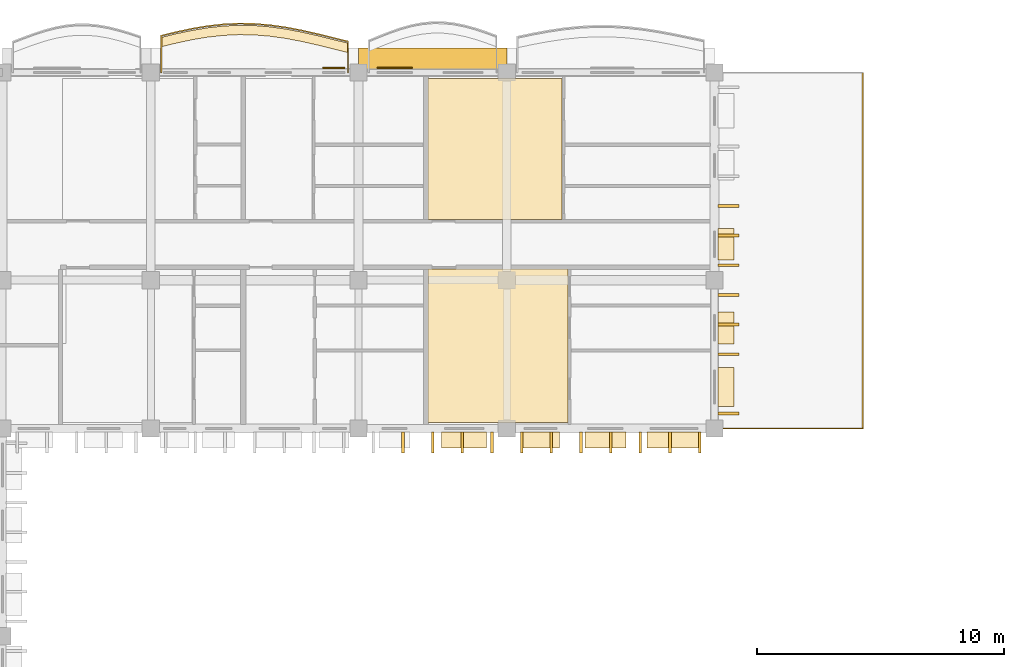
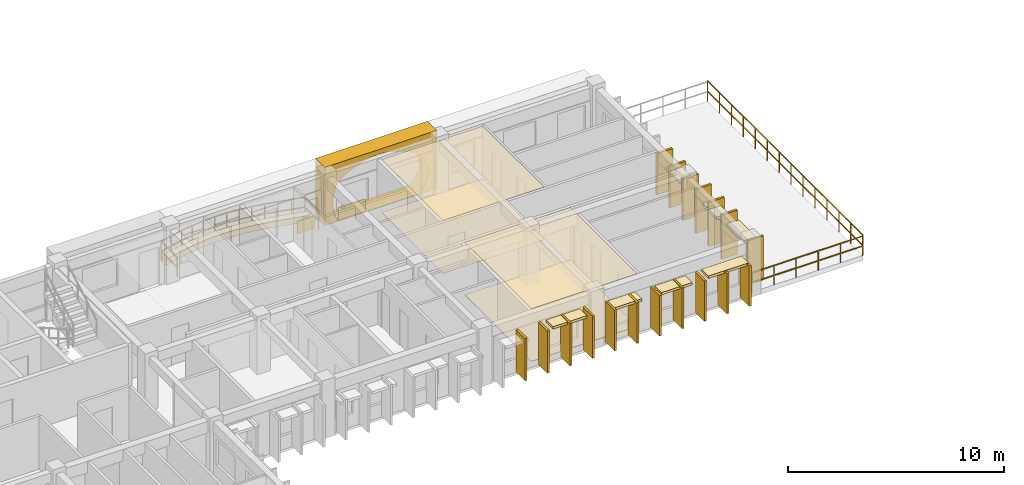
# One storey, part 50 of 66: 33 coverings, 3 railings.
"""IFC4 building model written with IfcOpenShell, lengths in metres."""

import ifcopenshell
import ifcopenshell.guid

model = None  # the IFC model being written
_history = None  # IfcOwnerHistory: only IFC2X3 demands one
_inside = {}  # id of a spatial element -> (the spatial element, [elements in it])
_under = {}  # id of a project, library or spatial element -> (it, [spatial elements below it])
_declared = {}  # id of a project -> (the project, [libraries it declares])
_typed = {}  # id of a type object -> (the type object, [elements of that type])
_made_of = {}  # id of a material, layer set ... -> (it, [elements and type objects made of it])


def new_model(schema):
    """Start an empty IFC model of exactly this schema.

    Asked for "IFC4X3", IfcOpenShell would pick the latest addendum, in which some entities
    have other attributes; the version numbers below select the first issue.
    IFC2X3 requires an IfcOwnerHistory on every rooted entity: one is made here for all.
    """
    global model, _history
    if schema == "IFC4X3":
        model = ifcopenshell.file(schema_version=(4, 3, 0, 0))
    else:
        model = ifcopenshell.file(schema=schema)
    _inside.clear()
    _under.clear()
    _declared.clear()
    _typed.clear()
    _made_of.clear()
    _history = None
    if model.schema == "IFC2X3":
        org = make("IfcOrganization", Name="unknown")
        user = make(
            "IfcPersonAndOrganization",
            ThePerson=make("IfcPerson", FamilyName="unknown"),
            TheOrganization=org,
        )
        app = make(
            "IfcApplication",
            ApplicationDeveloper=org,
            Version="unknown",
            ApplicationFullName="unknown",
            ApplicationIdentifier="unknown",
        )
        _history = make(
            "IfcOwnerHistory",
            OwningUser=user,
            OwningApplication=app,
            ChangeAction="ADDED",
            CreationDate=0,
        )
    return model


def make(cls, **values):
    """One entity of the class cls with the attributes given. An attribute that is None is left unset."""
    return model.create_entity(
        cls, **{name: value for name, value in values.items() if value is not None}
    )


def rooted(cls, **values):
    """An entity with a GlobalId (a new one), such as an element, a storey or a relation."""
    return make(cls, GlobalId=ifcopenshell.guid.new(), OwnerHistory=_history, **values)


def si_unit(unit_type, name, prefix=None):
    """IfcSIUnit, for example si_unit("LENGTHUNIT", "METRE", prefix="MILLI")."""
    return make("IfcSIUnit", UnitType=unit_type, Prefix=prefix, Name=name)


def assignment(units):
    """IfcUnitAssignment: the units of a project."""
    return None if units is None else make("IfcUnitAssignment", Units=units)


def point(xyz):
    """IfcCartesianPoint."""
    return None if xyz is None else make("IfcCartesianPoint", Coordinates=xyz)


def direction(xyz):
    """IfcDirection."""
    return None if xyz is None else make("IfcDirection", DirectionRatios=xyz)


def frame(location, z_axis=None, x_axis=None):
    """IfcAxis2Placement3D, a coordinate frame: its origin and axes. An axis left out is left unset."""
    return make(
        "IfcAxis2Placement3D",
        Location=point(location),
        Axis=direction(z_axis),
        RefDirection=direction(x_axis),
    )


def frame_2d(location, x_axis=None):
    """IfcAxis2Placement2D, a coordinate frame in the plane: its origin and x axis."""
    return make(
        "IfcAxis2Placement2D", Location=point(location), RefDirection=direction(x_axis)
    )


def origin():
    """The frame at (0, 0, 0) with its axes left unset."""
    return frame((0.0, 0.0, 0.0))


def origin_2d():
    """The frame at (0, 0) in the plane with its x axis left unset."""
    return frame_2d((0.0, 0.0))


def place(relative_to, where):
    """IfcLocalPlacement: puts the frame where relative to a parent placement (None: the world)."""
    return make(
        "IfcLocalPlacement", PlacementRelTo=relative_to, RelativePlacement=where
    )


def context(
    kind, dimensions, precision=None, world=None, true_north=None, identifier=None
):
    """IfcGeometricRepresentationContext, for example the 3D "Model" context."""
    return make(
        "IfcGeometricRepresentationContext",
        ContextIdentifier=identifier,
        ContextType=kind,
        CoordinateSpaceDimension=dimensions,
        Precision=precision,
        WorldCoordinateSystem=world,
        TrueNorth=true_north,
    )


def subcontext(parent, identifier, kind, view, scale=None):
    """IfcGeometricRepresentationSubContext, for example "Body" below "Model"."""
    return make(
        "IfcGeometricRepresentationSubContext",
        ContextIdentifier=identifier,
        ContextType=kind,
        ParentContext=parent,
        TargetScale=scale,
        TargetView=view,
    )


def project(units=None, contexts=None):
    """IfcProject with its units and contexts."""
    return rooted(
        "IfcProject",
        Name="project",
        RepresentationContexts=contexts,
        UnitsInContext=assignment(units),
    )


def spatial(cls, under=None, at=None, **own):
    """A site, building, storey or space (cls), placed at a placement, below another one or the project."""
    s = rooted(cls, ObjectPlacement=at, **own)
    if under is not None:
        _under.setdefault(under.id(), (under, []))[1].append(s)
    return s


def polyline(points):
    """IfcPolyline through the points."""
    return make("IfcPolyline", Points=[point(p) for p in points])


def profile(cls, at=None, kind="AREA", **sizes):
    """A parametric profile (cls). Its sizes go by their IFC names, for example OverallWidth=200.0."""
    return make(cls, ProfileType=kind, Position=at, **sizes)


def rectangle(**sizes):
    """IfcRectangleProfileDef."""
    return profile("IfcRectangleProfileDef", **sizes)


def outline(outer, holes=None, kind="AREA"):
    """IfcArbitraryClosedProfileDef: a profile drawn as a closed curve; with holes, ...WithVoids."""
    if holes is None:
        return make("IfcArbitraryClosedProfileDef", ProfileType=kind, OuterCurve=outer)
    return make(
        "IfcArbitraryProfileDefWithVoids",
        ProfileType=kind,
        OuterCurve=outer,
        InnerCurves=holes,
    )


def extrude(swept, where, along, depth):
    """IfcExtrudedAreaSolid: the profile swept, set in the frame where, extruded along a direction by depth."""
    return make(
        "IfcExtrudedAreaSolid",
        SweptArea=swept,
        Position=where,
        ExtrudedDirection=direction(along),
        Depth=depth,
    )


def shape(context_of_items, identifier, shape_type, items):
    """IfcShapeRepresentation: the items that make up one representation, for example the "Body"."""
    return make(
        "IfcShapeRepresentation",
        ContextOfItems=context_of_items,
        RepresentationIdentifier=identifier,
        RepresentationType=shape_type,
        Items=items,
    )


def material(Name=None, Category=None):
    """IfcMaterial."""
    return make("IfcMaterial", Name=Name, Category=Category)


def layer(
    of_material, thickness, ventilated=None, Name=None, Category=None, Priority=None
):
    """IfcMaterialLayer: one layer of a wall or slab, of a material (None: an air gap)."""
    return make(
        "IfcMaterialLayer",
        Material=of_material,
        LayerThickness=thickness,
        IsVentilated=ventilated,
        Name=Name,
        Category=Category,
        Priority=Priority,
    )


def layer_set(layers, Name=None):
    """IfcMaterialLayerSet."""
    return make("IfcMaterialLayerSet", MaterialLayers=layers, LayerSetName=Name)


def made_of(thing, what):
    """Note that an element or type object is made of a material, layer set ...; save() writes the relation."""
    if what is not None:
        _made_of.setdefault(what.id(), (what, []))[1].append(thing)
    return thing


def type_object(cls, material=None, **own):
    """A type object (cls), such as IfcWallType, which elements share."""
    return made_of(rooted(cls, **own), material)


def element(
    cls,
    number,
    at=None,
    inside=None,
    cuts=None,
    type_object=None,
    material=None,
    context=None,
    identifier="Body",
    shape_type=None,
    held_by="IfcProductDefinitionShape",
    body=None,
    shapes=None,
    **own,
):
    """One element of the class cls, such as IfcWall. Its Tag is "e" and its number.

    at: its placement. inside: the storey or other place that contains it. cuts: it is an
    opening in that element (IfcRelVoidsElement). A single representation is given by context,
    identifier, shape_type and body (its items); several are given by shapes. held_by: the class
    of the entity that holds the representations. save() writes the other relations.
    """
    e = rooted(cls, Tag="e%d" % number, ObjectPlacement=at, **own)
    if body is not None:
        shapes = [shape(context, identifier, shape_type, body)]
    if shapes is not None:
        e.Representation = make(held_by, Representations=shapes)
    if inside is not None:
        _inside.setdefault(inside.id(), (inside, []))[1].append(e)
    if cuts is not None:
        rooted(
            "IfcRelVoidsElement", RelatingBuildingElement=cuts, RelatedOpeningElement=e
        )
    if type_object is not None:
        _typed.setdefault(type_object.id(), (type_object, []))[1].append(e)
    return made_of(e, material)


def aggregate(whole, parts):
    """IfcRelAggregates: a whole, such as a stair, and the parts it consists of."""
    return rooted("IfcRelAggregates", RelatingObject=whole, RelatedObjects=parts)


def save(model, path):
    """Write the relations noted so far, then the file.

    IfcRelAggregates (storeys below a building ...), IfcRelContainedInSpatialStructure (elements
    in a storey), IfcRelDefinesByType, IfcRelAssociatesMaterial and IfcRelDeclares: one each for
    every whole, place, type object, material and project.
    """
    for whole, parts in _under.values():
        aggregate(whole, parts)
    for where, things in _inside.values():
        rooted(
            "IfcRelContainedInSpatialStructure",
            RelatedElements=things,
            RelatingStructure=where,
        )
    for kind, things in _typed.values():
        rooted("IfcRelDefinesByType", RelatedObjects=things, RelatingType=kind)
    for what, things in _made_of.values():
        rooted("IfcRelAssociatesMaterial", RelatedObjects=things, RelatingMaterial=what)
    for by, libraries in _declared.values():
        rooted("IfcRelDeclares", RelatingContext=by, RelatedDefinitions=libraries)
    model.write(path)


model = new_model("IFC4")

# Units and contexts
model_context = context("Model", 3, precision=1e-05, world=origin(), true_north=direction((0.0, 1.0)))
body_context = subcontext(model_context, "Body", "Model", "MODEL_VIEW")
ifc_project = project(units=[si_unit("LENGTHUNIT", "METRE"), si_unit("AREAUNIT", "SQUARE_METRE"), si_unit("VOLUMEUNIT", "CUBIC_METRE"), si_unit("PLANEANGLEUNIT", "RADIAN"), si_unit("MASSUNIT", "GRAM", prefix="KILO"), si_unit("THERMODYNAMICTEMPERATUREUNIT", "KELVIN")], contexts=[model_context])

# Site, building, storey
site_placement = place(None, origin())
site = spatial("IfcSite", under=ifc_project, at=site_placement, CompositionType="ELEMENT")
building_placement = place(site_placement, origin())
building = spatial("IfcBuilding", under=site, at=building_placement, Name="Thalorik Housing Commons", CompositionType="ELEMENT")
storey_placement = place(building_placement, frame((0.0, 0.0, 21.300048828125)))
storey = spatial("IfcBuildingStorey", under=building, at=storey_placement, Name="L06", CompositionType="ELEMENT", Elevation=21.300048828125)

# Coverings
ifc_material_1 = material(Name="Precast concrete C40/50", Category="concrete")
ifc_layer_1 = layer(ifc_material_1, 0.85009765625, Name="Precast concrete C40/50", Category="concrete")
ifc_layer_set_1 = layer_set([ifc_layer_1], Name="Precast concrete C40/50")
covering_type_1 = type_object("IfcCoveringType", Name="ARC-CLD-CUSH-850", PredefinedType="CLADDING", material=ifc_layer_set_1)
covering_1_placement = place(storey_placement, frame((40.199951171875, 124.169921875, 0.0), z_axis=(0.0, 0.0, 1.0), x_axis=(-1.0, 0.0, 0.0)))
element("IfcCovering", 1, at=covering_1_placement, inside=storey, type_object=covering_type_1, Name="L06 White Precast Curved Cushion Bay Frame 671", PredefinedType="CLADDING", context=body_context, shape_type="SweptSolid", body=[
    extrude(outline(polyline([(-3.0, 0.0), (3.0, 0.0), (3.0, 3.300048828125), (-3.0, 3.300048828125), (-3.0, 0.0)]), holes=[polyline([(2.300048828125, 0.02490234375), (2.44775390625, 0.394287109375), (2.536376953125, 0.76318359375), (2.56591796875, 1.132568359375), (2.536376953125, 1.501708984375), (2.44775390625, 1.870849609375), (2.300048828125, 2.239990234375), (1.935791015625, 2.4833984375), (1.57177734375, 2.6748046875), (1.20751953125, 2.82958984375), (0.84326171875, 2.94482421875), (0.479248046875, 3.01611328125), (0.114990234375, 3.0400390625), (-0.249267578125, 3.01611328125), (-0.61328125, 2.94482421875), (-0.9775390625, 2.82958984375), (-1.341796875, 2.6748046875), (-1.705810546875, 2.4833984375), (-2.070068359375, 2.239990234375), (-2.336669921875, 1.870849609375), (-2.49658203125, 1.501708984375), (-2.550048828125, 1.132568359375), (-2.49658203125, 0.76318359375), (-2.336669921875, 0.394287109375), (-2.070068359375, 0.02490234375), (2.300048828125, 0.02490234375)])]), frame((0.0, 0.425048828125, 0.0), z_axis=(0.0, -1.0, 0.0), x_axis=(1.0, 0.0, 0.0)), (0.0, 0.0, 1.0), 0.85009765625),
])
ifc_layer_2 = layer(ifc_material_1, 0.85009765625, Name="Precast concrete C40/50", Category="concrete")
ifc_layer_set_2 = layer_set([ifc_layer_2], Name="Precast concrete C40/50")
covering_type_2 = type_object("IfcCoveringType", Name="ARC-CLD-FIN-850", PredefinedType="CLADDING", material=ifc_layer_set_2)
for number, where, z_axis, x_axis, name in (
    (2, (39.0, 108.6298828125, 0.0400390625), (0.0, 0.0, 1.0), (1.0, 0.0, 0.0), "L06 Courtyard Precast Vertical Brise-Soleil Fin 638"),
    (3, (40.199951171875, 108.6298828125, 0.0400390625), (0.0, 0.0, 1.0), (1.0, 0.0, 0.0), "L06 Courtyard Precast Vertical Brise-Soleil Fin 639"),
    (4, (41.39990234375, 108.6298828125, 0.0400390625), (0.0, 0.0, 1.0), (1.0, 0.0, 0.0), "L06 Courtyard Precast Vertical Brise-Soleil Fin 640"),
    (5, (42.60009765625, 108.6298828125, 0.0400390625), (0.0, 0.0, 1.0), (1.0, 0.0, 0.0), "L06 Courtyard Precast Vertical Brise-Soleil Fin 641"),
):
    element("IfcCovering", number, at=place(storey_placement, frame(where, z_axis=z_axis, x_axis=x_axis)), inside=storey, type_object=covering_type_2, Name=name, PredefinedType="CLADDING", context=body_context, shape_type="SweptSolid", body=[
        extrude(rectangle(XDim=0.110107421875, YDim=0.85009765625, at=origin_2d()), origin(), (0.0, 0.0, 1.0), 2.39501953125),
    ])
for number, where, z_axis, x_axis, name in (
    (6, (43.800048828125, 108.6298828125, 0.0400390625), (0.0, 0.0, 1.0), (1.0, 0.0, 0.0), "L06 Courtyard Precast Vertical Brise-Soleil Fin 644"),
    (7, (45.0, 108.6298828125, 0.0400390625), (0.0, 0.0, 1.0), (1.0, 0.0, 0.0), "L06 Courtyard Precast Vertical Brise-Soleil Fin 645"),
    (8, (46.199951171875, 108.6298828125, 0.0400390625), (0.0, 0.0, 1.0), (1.0, 0.0, 0.0), "L06 Courtyard Precast Vertical Brise-Soleil Fin 646"),
    (9, (47.39990234375, 108.6298828125, 0.0400390625), (0.0, 0.0, 1.0), (1.0, 0.0, 0.0), "L06 Courtyard Precast Vertical Brise-Soleil Fin 647"),
    (10, (48.60009765625, 108.6298828125, 0.0400390625), (0.0, 0.0, 1.0), (1.0, 0.0, 0.0), "L06 Courtyard Precast Vertical Brise-Soleil Fin 648"),
    (11, (49.800048828125, 108.6298828125, 0.0400390625), (0.0, 0.0, 1.0), (1.0, 0.0, 0.0), "L06 Courtyard Precast Vertical Brise-Soleil Fin 649"),
    (12, (51.0, 108.6298828125, 0.0400390625), (0.0, 0.0, 1.0), (1.0, 0.0, 0.0), "L06 Courtyard Precast Vertical Brise-Soleil Fin 650"),
):
    element("IfcCovering", number, at=place(storey_placement, frame(where, z_axis=z_axis, x_axis=x_axis)), inside=storey, type_object=covering_type_2, Name=name, PredefinedType="CLADDING", context=body_context, shape_type="SweptSolid", body=[
        extrude(rectangle(XDim=0.110107421875, YDim=0.85009765625, at=origin_2d()), origin(), (0.0, 0.0, 1.0), 2.294921875),
    ])
for number, where, z_axis, x_axis, name in (
    (13, (52.169921875, 109.800048828125, 0.039794921875), (0.0, 0.0, 1.0), (0.0, 1.0, 0.0), "L06 Courtyard Precast Vertical Brise-Soleil Fin 654"),
    (14, (52.169921875, 112.199951171875, 0.039794921875), (0.0, 0.0, 1.0), (0.0, 1.0, 0.0), "L06 Courtyard Precast Vertical Brise-Soleil Fin 655"),
    (15, (52.169921875, 113.39990234375, 0.039794921875), (0.0, 0.0, 1.0), (0.0, 1.0, 0.0), "L06 Courtyard Precast Vertical Brise-Soleil Fin 656"),
    (16, (52.169921875, 114.60009765625, 0.039794921875), (0.0, 0.0, 1.0), (0.0, 1.0, 0.0), "L06 Courtyard Precast Vertical Brise-Soleil Fin 657"),
):
    element("IfcCovering", number, at=place(storey_placement, frame(where, z_axis=z_axis, x_axis=x_axis)), inside=storey, type_object=covering_type_2, Name=name, PredefinedType="CLADDING", context=body_context, shape_type="SweptSolid", body=[
        extrude(rectangle(XDim=0.110107421875, YDim=0.85009765625, at=origin_2d()), origin(), (0.0, 0.0, 1.0), 2.4951171875),
    ])
for number, where, z_axis, x_axis, name in (
    (17, (52.169921875, 115.800048828125, 0.0400390625), (0.0, 0.0, 1.0), (0.0, 1.0, 0.0), "L06 Courtyard Precast Vertical Brise-Soleil Fin 660"),
    (18, (52.169921875, 117.0, 0.0400390625), (0.0, 0.0, 1.0), (0.0, 1.0, 0.0), "L06 Courtyard Precast Vertical Brise-Soleil Fin 661"),
    (19, (52.169921875, 118.199951171875, 0.0400390625), (0.0, 0.0, 1.0), (0.0, 1.0, 0.0), "L06 Courtyard Precast Vertical Brise-Soleil Fin 662"),
):
    element("IfcCovering", number, at=place(storey_placement, frame(where, z_axis=z_axis, x_axis=x_axis)), inside=storey, type_object=covering_type_2, Name=name, PredefinedType="CLADDING", context=body_context, shape_type="SweptSolid", body=[
        extrude(rectangle(XDim=0.110107421875, YDim=0.85009765625, at=origin_2d()), origin(), (0.0, 0.0, 1.0), 2.344970703125),
    ])
ifc_layer_3 = layer(ifc_material_1, 0.64990234375, Name="Precast concrete C40/50", Category="concrete")
ifc_layer_set_3 = layer_set([ifc_layer_3], Name="Precast concrete C40/50")
covering_type_3 = type_object("IfcCoveringType", Name="ARC-CLD-HOOD-650", PredefinedType="CLADDING", material=ifc_layer_set_3)
covering_2_placement = place(storey_placement, frame((41.469970703125, 108.72998046875, 2.27001953125), z_axis=(0.0, 0.0, 1.0), x_axis=(1.0, 0.0, 0.0)))
element("IfcCovering", 20, at=covering_2_placement, inside=storey, type_object=covering_type_3, Name="L06 Courtyard Precast Window Sun-Hood 643", PredefinedType="CLADDING", context=body_context, shape_type="SweptSolid", body=[
    extrude(rectangle(XDim=1.820068359375, YDim=0.64990234375, at=origin_2d()), origin(), (0.0, 0.0, 1.0), 0.139892578125),
])
covering_3_placement = place(storey_placement, frame((44.5625, 108.72998046875, 2.18994140625), z_axis=(0.0, 0.0, 1.0), x_axis=(1.0, 0.0, 0.0)))
element("IfcCovering", 21, at=covering_3_placement, inside=storey, type_object=covering_type_3, Name="L06 Courtyard Precast Window Sun-Hood 651", PredefinedType="CLADDING", context=body_context, shape_type="SweptSolid", body=[
    extrude(rectangle(XDim=1.5400390625, YDim=0.64990234375, at=origin_2d()), origin(), (0.0, 0.0, 1.0), 0.139892578125),
])
covering_4_placement = place(storey_placement, frame((47.188720703125, 108.72998046875, 2.169921875), z_axis=(0.0, 0.0, 1.0), x_axis=(1.0, 0.0, 0.0)))
element("IfcCovering", 22, at=covering_4_placement, inside=storey, type_object=covering_type_3, Name="L06 Courtyard Precast Window Sun-Hood 652", PredefinedType="CLADDING", context=body_context, shape_type="SweptSolid", body=[
    extrude(rectangle(XDim=1.659912109375, YDim=0.64990234375, at=origin_2d()), origin(), (0.0, 0.0, 1.0), 0.139892578125),
])
covering_5_placement = place(storey_placement, frame((49.956298828125, 108.72998046875, 2.22509765625), z_axis=(0.0, 0.0, 1.0), x_axis=(1.0, 0.0, 0.0)))
element("IfcCovering", 23, at=covering_5_placement, inside=storey, type_object=covering_type_3, Name="L06 Courtyard Precast Window Sun-Hood 653", PredefinedType="CLADDING", context=body_context, shape_type="SweptSolid", body=[
    extrude(rectangle(XDim=2.159912109375, YDim=0.64990234375, at=origin_2d()), origin(), (0.0, 0.0, 1.0), 0.139892578125),
])
covering_6_placement = place(storey_placement, frame((52.070068359375, 110.87548828125, 2.2099609375), z_axis=(0.0, 0.0, 1.0), x_axis=(0.0, 1.0, 0.0)))
element("IfcCovering", 24, at=covering_6_placement, inside=storey, type_object=covering_type_3, Name="L06 Courtyard Precast Window Sun-Hood 658", PredefinedType="CLADDING", context=body_context, shape_type="SweptSolid", body=[
    extrude(rectangle(XDim=1.590087890625, YDim=0.64990234375, at=origin_2d()), origin(), (0.0, 0.0, 1.0), 0.139892578125),
])
for number, where, z_axis, x_axis, name in (
    (25, (52.070068359375, 113.26513671875, 1.990234375), (0.0, 0.0, 1.0), (0.0, 1.0, 0.0), "L06 Courtyard Precast Window Sun-Hood 659"),
    (26, (52.070068359375, 116.64990234375, 1.990234375), (0.0, 0.0, 1.0), (0.0, 1.0, 0.0), "L06 Courtyard Precast Window Sun-Hood 667"),
):
    element("IfcCovering", number, at=place(storey_placement, frame(where, z_axis=z_axis, x_axis=x_axis)), inside=storey, type_object=covering_type_3, Name=name, PredefinedType="CLADDING", context=body_context, shape_type="SweptSolid", body=[
        extrude(rectangle(XDim=1.2900390625, YDim=0.64990234375, at=origin_2d()), origin(), (0.0, 0.0, 1.0), 0.139892578125),
    ])
ifc_material_2 = material(Name="Terracotta red mineral fibre-cement panel", Category="masonry")
ifc_layer_4 = layer(ifc_material_2, 0.054931640625, Name="Terracotta red mineral fibre-cement panel", Category="masonry")
ifc_layer_set_4 = layer_set([ifc_layer_4], Name="Terracotta red mineral fibre-cement panel")
covering_type_4 = type_object("IfcCoveringType", Name="ARC-CLD-RED-55", PredefinedType="CLADDING", material=ifc_layer_set_4)
covering_7_placement = place(storey_placement, frame((36.198486328125, 123.777587890625, 0.0498046875), z_axis=(0.0, 0.0, 1.0), x_axis=(-1.0, 0.0, 0.0)))
element("IfcCovering", 27, at=covering_7_placement, inside=storey, type_object=covering_type_4, Name="L06 De Stijl Recessed Window Spandrel 674", PredefinedType="CLADDING", context=body_context, shape_type="SweptSolid", body=[
    extrude(rectangle(XDim=0.89990234375, YDim=0.054931640625, at=origin_2d()), origin(), (0.0, 0.0, 1.0), 0.699951171875),
])
ifc_material_3 = material(Name="Mineral ochre architectural terracotta panel", Category="masonry")
ifc_layer_5 = layer(ifc_material_3, 0.06494140625, Name="Mineral ochre architectural terracotta panel", Category="masonry")
ifc_layer_set_5 = layer_set([ifc_layer_5], Name="Mineral ochre architectural terracotta panel")
covering_type_5 = type_object("IfcCoveringType", Name="ARC-CLD-YEL-65", PredefinedType="CLADDING", material=ifc_layer_set_5)
covering_8_placement = place(storey_placement, frame((38.659912109375, 123.782470703125, 0.0498046875), z_axis=(0.0, 0.0, 1.0), x_axis=(-1.0, 0.0, 0.0)))
element("IfcCovering", 28, at=covering_8_placement, inside=storey, type_object=covering_type_5, Name="L06 De Stijl Recessed Window Spandrel 672", PredefinedType="CLADDING", context=body_context, shape_type="SweptSolid", body=[
    extrude(rectangle(XDim=1.419921875, YDim=0.06494140625, at=origin_2d()), origin(), (0.0, 0.0, 1.0), 0.699951171875),
])
ifc_material_4 = material(Name="Perforated acoustic gypsum ceiling board")
ifc_layer_6 = layer(ifc_material_4, 0.014892578125, Name="Perforated acoustic gypsum ceiling board")
ifc_layer_set_6 = layer_set([ifc_layer_6], Name="Perforated acoustic gypsum ceiling board")
covering_type_6 = type_object("IfcCoveringType", Name="ARC-COV-CEIL-01", PredefinedType="CEILING", material=ifc_layer_set_6)
covering_9_placement = place(storey_placement, frame((0.0, 0.0, 2.98486328125)))
element("IfcCovering", 29, at=covering_9_placement, inside=storey, type_object=covering_type_6, Name="L06 Living Dining Room Suspended Ceiling", PredefinedType="CEILING", context=body_context, shape_type="SweptSolid", body=[
    extrude(outline(polyline([(45.432861328125, 117.659912109375), (45.432861328125, 123.360107421875), (40.010009765625, 123.360107421875), (40.010009765625, 117.659912109375), (45.432861328125, 117.659912109375)])), origin(), (0.0, 0.0, 1.0), 0.01513671875),
])
ifc_material_5 = material(Name="Acoustic wood-wool nursery ceiling panel", Category="wood")
ifc_layer_7 = layer(ifc_material_5, 0.035888671875, Name="Acoustic wood-wool nursery ceiling panel", Category="wood")
ifc_layer_set_7 = layer_set([ifc_layer_7], Name="Acoustic wood-wool nursery ceiling panel")
covering_type_7 = type_object("IfcCoveringType", Name="ARC-COV-CEIL-06", PredefinedType="CEILING", material=ifc_layer_set_7)
covering_10_placement = place(storey_placement, frame((0.0, 0.0, 2.9638671875)))
element("IfcCovering", 30, at=covering_10_placement, inside=storey, type_object=covering_type_7, Name="L06 Living Dining Room Suspended Ceiling", PredefinedType="CEILING", context=body_context, shape_type="SweptSolid", body=[
    extrude(outline(polyline([(45.6650390625, 109.43994140625), (45.6650390625, 115.639892578125), (40.010009765625, 115.639892578125), (40.010009765625, 109.43994140625), (45.6650390625, 109.43994140625)])), origin(), (0.0, 0.0, 1.0), 0.0361328125),
])
ifc_material_6 = material(Name="Glazed Recife ceramic apartment floor tile")
ifc_layer_8 = layer(ifc_material_6, 0.011962890625, Name="Glazed Recife ceramic apartment floor tile")
ifc_layer_set_8 = layer_set([ifc_layer_8], Name="Glazed Recife ceramic apartment floor tile")
covering_type_8 = type_object("IfcCoveringType", Name="ARC-COV-FLR-01", PredefinedType="FLOORING", material=ifc_layer_set_8)
covering_11_placement = place(storey_placement, origin())
element("IfcCovering", 31, at=covering_11_placement, inside=storey, type_object=covering_type_8, Name="L06 Living Dining Room Flooring", PredefinedType="FLOORING", context=body_context, shape_type="SweptSolid", body=[
    extrude(outline(polyline([(45.432861328125, 117.659912109375), (45.432861328125, 123.360107421875), (40.010009765625, 123.360107421875), (40.010009765625, 117.659912109375), (45.432861328125, 117.659912109375)])), origin(), (0.0, 0.0, 1.0), 0.011962890625),
])
ifc_material_7 = material(Name="Epoxy-sealed concrete plant and bicycle hub finish", Category="concrete")
ifc_layer_9 = layer(ifc_material_7, 0.031982421875, Name="Epoxy-sealed concrete plant and bicycle hub finish", Category="concrete")
ifc_layer_set_9 = layer_set([ifc_layer_9], Name="Epoxy-sealed concrete plant and bicycle hub finish")
covering_type_9 = type_object("IfcCoveringType", Name="ARC-COV-FLR-06", PredefinedType="FLOORING", material=ifc_layer_set_9)
covering_12_placement = place(storey_placement, origin())
element("IfcCovering", 32, at=covering_12_placement, inside=storey, type_object=covering_type_9, Name="L06 Living Dining Room Flooring", PredefinedType="FLOORING", context=body_context, shape_type="SweptSolid", body=[
    extrude(outline(polyline([(45.6650390625, 109.43994140625), (45.6650390625, 115.639892578125), (40.010009765625, 115.639892578125), (40.010009765625, 109.43994140625), (45.6650390625, 109.43994140625)])), origin(), (0.0, 0.0, 1.0), 0.031982421875),
])
ifc_material_8 = material(Name="Planted vegetated substrate and terracotta trough", Category="masonry")
ifc_layer_10 = layer(ifc_material_8, 0.340087890625, Name="Planted vegetated substrate and terracotta trough", Category="masonry")
ifc_layer_set_10 = layer_set([ifc_layer_10], Name="Planted vegetated substrate and terracotta trough")
covering_type_10 = type_object("IfcCoveringType", Name="ARC-COV-PLANTER", PredefinedType="USERDEFINED", material=ifc_layer_set_10)
covering_13_placement = place(storey_placement, origin())
element("IfcCovering", 33, at=covering_13_placement, inside=storey, type_object=covering_type_10, Name="L06 Balcony Slab-Edge Planted Trough 5358", ObjectType="PLANTER", PredefinedType="USERDEFINED", context=body_context, shape_type="SweptSolid", body=[
    extrude(outline(polyline([(36.780029296875, 124.78271484375), (36.14990234375, 124.938720703125), (35.52001953125, 125.0927734375), (34.889892578125, 125.234619140625), (34.260009765625, 125.35400390625), (33.6298828125, 125.443115234375), (33.0, 125.49560546875), (32.3701171875, 125.507080078125), (31.739990234375, 125.477294921875), (31.110107421875, 125.40771484375), (30.47998046875, 125.302978515625), (29.85009765625, 125.170166015625), (29.219970703125, 125.017822265625), (29.219970703125, 124.6376953125), (29.85009765625, 124.7900390625), (30.47998046875, 124.923095703125), (31.110107421875, 125.02783203125), (31.739990234375, 125.097412109375), (32.3701171875, 125.127197265625), (33.0, 125.115478515625), (33.6298828125, 125.063232421875), (34.260009765625, 124.97412109375), (34.889892578125, 124.8544921875), (35.52001953125, 124.712890625), (36.14990234375, 124.55859375), (36.780029296875, 124.402587890625), (36.780029296875, 124.78271484375)])), origin(), (0.0, 0.0, 1.0), 0.33984375),
])

# Railings
ifc_material_9 = material(Name="Steel S355", Category="steel")
railing_type_1 = type_object("IfcRailingType", Name="ARC-RL-BAL-112", PredefinedType="BALUSTRADE", material=ifc_material_9)
railing_1_placement = place(storey_placement, frame((36.780029296875, 123.60009765625, 0.0)))
element("IfcRailing", 34, at=railing_1_placement, inside=storey, type_object=railing_type_1, Name="L06 Cushion Balcony Guardrail 42", PredefinedType="BALUSTRADE", context=body_context, shape_type="SweptSolid", body=[
    extrude(rectangle(XDim=0.050048828125, YDim=0.050048828125, at=origin_2d()), frame((0.0, 0.0, 1.09521484375), z_axis=(0.0, 1.0, 0.0), x_axis=(-1.0, 0.0, 0.0)), (0.0, 0.0, 1.0), 1.25244140625),
    extrude(rectangle(XDim=0.050048828125, YDim=0.050048828125, at=origin_2d()), frame((0.0, 0.0, 0.53515625), z_axis=(0.0, 1.0, 0.0), x_axis=(-1.0, 0.0, 0.0)), (0.0, 0.0, 1.0), 1.25244140625),
    extrude(rectangle(XDim=0.050048828125, YDim=0.050048828125, at=origin_2d()), frame((0.0, 1.25244140625, 1.09521484375), z_axis=(-0.970605262644, 0.240677012047, 0.0), x_axis=(-0.240677012047, -0.970605262644, 0.0)), (0.0, 0.0, 1.0), 0.649169921875),
    extrude(rectangle(XDim=0.050048828125, YDim=0.050048828125, at=origin_2d()), frame((0.0, 1.25244140625, 0.53515625), z_axis=(-0.970605262644, 0.240677012047, 0.0), x_axis=(-0.240677012047, -0.970605262644, 0.0)), (0.0, 0.0, 1.0), 0.649169921875),
    extrude(rectangle(XDim=0.050048828125, YDim=0.050048828125, at=origin_2d()), frame((-0.630126953125, 1.40869140625, 1.09521484375), z_axis=(-0.971370051234, 0.23757151253, 0.0), x_axis=(-0.23757151253, -0.971370051234, 0.0)), (0.0, 0.0, 1.0), 0.6484375),
    extrude(rectangle(XDim=0.050048828125, YDim=0.050048828125, at=origin_2d()), frame((-0.630126953125, 1.40869140625, 0.53515625), z_axis=(-0.971370051234, 0.23757151253, 0.0), x_axis=(-0.23757151253, -0.971370051234, 0.0)), (0.0, 0.0, 1.0), 0.6484375),
    extrude(rectangle(XDim=0.050048828125, YDim=0.050048828125, at=origin_2d()), frame((-1.260009765625, 1.562744140625, 1.09521484375), z_axis=(-0.975587490028, 0.219611132006, 0.0), x_axis=(-0.219611132006, -0.975587490028, 0.0)), (0.0, 0.0, 1.0), 0.64599609375),
    extrude(rectangle(XDim=0.050048828125, YDim=0.050048828125, at=origin_2d()), frame((-1.260009765625, 1.562744140625, 0.53515625), z_axis=(-0.975587490028, 0.219611132006, 0.0), x_axis=(-0.219611132006, -0.975587490028, 0.0)), (0.0, 0.0, 1.0), 0.64599609375),
    extrude(rectangle(XDim=0.050048828125, YDim=0.050048828125, at=origin_2d()), frame((-1.89013671875, 1.70458984375, 1.09521484375), z_axis=(-0.982508153778, 0.186219568681, 0.0), x_axis=(-0.186219568681, -0.982508153778, 0.0)), (0.0, 0.0, 1.0), 0.64111328125),
    extrude(rectangle(XDim=0.050048828125, YDim=0.050048828125, at=origin_2d()), frame((-1.89013671875, 1.70458984375, 0.53515625), z_axis=(-0.982508153778, 0.186219568681, 0.0), x_axis=(-0.186219568681, -0.982508153778, 0.0)), (0.0, 0.0, 1.0), 0.64111328125),
    extrude(rectangle(XDim=0.050048828125, YDim=0.050048828125, at=origin_2d()), frame((-2.52001953125, 1.823974609375, 1.09521484375), z_axis=(-0.990147996171, 0.140024803798, 0.0), x_axis=(-0.140024803798, -0.990147996171, 0.0)), (0.0, 0.0, 1.0), 0.636474609375),
    extrude(rectangle(XDim=0.050048828125, YDim=0.050048828125, at=origin_2d()), frame((-2.52001953125, 1.823974609375, 0.53515625), z_axis=(-0.990147996171, 0.140024803798, 0.0), x_axis=(-0.140024803798, -0.990147996171, 0.0)), (0.0, 0.0, 1.0), 0.636474609375),
    extrude(rectangle(XDim=0.050048828125, YDim=0.050048828125, at=origin_2d()), frame((-3.150146484375, 1.9130859375, 1.09521484375), z_axis=(-0.996577651619, 0.082661867227, 0.0), x_axis=(-0.082661867227, -0.996577651619, 0.0)), (0.0, 0.0, 1.0), 0.632080078125),
    extrude(rectangle(XDim=0.050048828125, YDim=0.050048828125, at=origin_2d()), frame((-3.150146484375, 1.9130859375, 0.53515625), z_axis=(-0.996577651619, 0.082661867227, 0.0), x_axis=(-0.082661867227, -0.996577651619, 0.0)), (0.0, 0.0, 1.0), 0.632080078125),
    extrude(rectangle(XDim=0.050048828125, YDim=0.050048828125, at=origin_2d()), frame((-3.780029296875, 1.96533203125, 1.09521484375), z_axis=(-0.999826978393, 0.018601432156, 0.0), x_axis=(-0.018601432156, -0.999826978393, 0.0)), (0.0, 0.0, 1.0), 0.6298828125),
    extrude(rectangle(XDim=0.050048828125, YDim=0.050048828125, at=origin_2d()), frame((-3.780029296875, 1.96533203125, 0.53515625), z_axis=(-0.999826978393, 0.018601432156, 0.0), x_axis=(-0.018601432156, -0.999826978393, 0.0)), (0.0, 0.0, 1.0), 0.6298828125),
    extrude(rectangle(XDim=0.050048828125, YDim=0.050048828125, at=origin_2d()), frame((-4.409912109375, 1.97705078125, 1.09521484375), z_axis=(-0.998884713002, -0.047215782637, 0.0), x_axis=(0.047215782637, -0.998884713002, 0.0)), (0.0, 0.0, 1.0), 0.630859375),
    extrude(rectangle(XDim=0.050048828125, YDim=0.050048828125, at=origin_2d()), frame((-4.409912109375, 1.97705078125, 0.53515625), z_axis=(-0.998884713002, -0.047215782637, 0.0), x_axis=(0.047215782637, -0.998884713002, 0.0)), (0.0, 0.0, 1.0), 0.630859375),
    extrude(rectangle(XDim=0.050048828125, YDim=0.050048828125, at=origin_2d()), frame((-5.0400390625, 1.947265625, 1.09521484375), z_axis=(-0.993954005493, -0.109797244793, 0.0), x_axis=(0.109797244793, -0.993954005493, 0.0)), (0.0, 0.0, 1.0), 0.6337890625),
    extrude(rectangle(XDim=0.050048828125, YDim=0.050048828125, at=origin_2d()), frame((-5.0400390625, 1.947265625, 0.53515625), z_axis=(-0.993954005493, -0.109797244793, 0.0), x_axis=(0.109797244793, -0.993954005493, 0.0)), (0.0, 0.0, 1.0), 0.6337890625),
    extrude(rectangle(XDim=0.050048828125, YDim=0.050048828125, at=origin_2d()), frame((-5.669921875, 1.877685546875, 1.09521484375), z_axis=(-0.98646613711, -0.163965119264, 0.0), x_axis=(0.163965119264, -0.98646613711, 0.0)), (0.0, 0.0, 1.0), 0.638671875),
    extrude(rectangle(XDim=0.050048828125, YDim=0.050048828125, at=origin_2d()), frame((-5.669921875, 1.877685546875, 0.53515625), z_axis=(-0.98646613711, -0.163965119264, 0.0), x_axis=(0.163965119264, -0.98646613711, 0.0)), (0.0, 0.0, 1.0), 0.638671875),
    extrude(rectangle(XDim=0.050048828125, YDim=0.050048828125, at=origin_2d()), frame((-6.300048828125, 1.77294921875, 1.09521484375), z_axis=(-0.978408728904, -0.206679363276, 0.0), x_axis=(0.206679363276, -0.978408728904, 0.0)), (0.0, 0.0, 1.0), 0.643798828125),
    extrude(rectangle(XDim=0.050048828125, YDim=0.050048828125, at=origin_2d()), frame((-6.300048828125, 1.77294921875, 0.53515625), z_axis=(-0.978408728904, -0.206679363276, 0.0), x_axis=(0.206679363276, -0.978408728904, 0.0)), (0.0, 0.0, 1.0), 0.643798828125),
    extrude(rectangle(XDim=0.050048828125, YDim=0.050048828125, at=origin_2d()), frame((-6.929931640625, 1.639892578125, 1.09521484375), z_axis=(-0.972082208573, -0.234640533104, 0.0), x_axis=(0.234640533104, -0.972082208573, 0.0)), (0.0, 0.0, 1.0), 0.648193359375),
    extrude(rectangle(XDim=0.050048828125, YDim=0.050048828125, at=origin_2d()), frame((-6.929931640625, 1.639892578125, 0.53515625), z_axis=(-0.972082208573, -0.234640533104, 0.0), x_axis=(0.234640533104, -0.972082208573, 0.0)), (0.0, 0.0, 1.0), 0.648193359375),
    extrude(rectangle(XDim=0.050048828125, YDim=0.050048828125, at=origin_2d()), frame((-7.56005859375, 1.48779296875, 1.09521484375), z_axis=(0.0, -1.0, 0.0), x_axis=(1.0, 0.0, 0.0)), (0.0, 0.0, 1.0), 1.48779296875),
    extrude(rectangle(XDim=0.050048828125, YDim=0.050048828125, at=origin_2d()), frame((-7.56005859375, 1.48779296875, 0.53515625), z_axis=(0.0, -1.0, 0.0), x_axis=(1.0, 0.0, 0.0)), (0.0, 0.0, 1.0), 1.48779296875),
    extrude(rectangle(XDim=0.0419921875, YDim=0.0419921875, at=origin_2d()), origin(), (0.0, 0.0, 1.0), 1.070068359375),
    extrude(rectangle(XDim=0.0419921875, YDim=0.0419921875, at=origin_2d()), frame((0.0, 1.25244140625, 0.0)), (0.0, 0.0, 1.0), 1.070068359375),
    extrude(rectangle(XDim=0.0419921875, YDim=0.0419921875, at=origin_2d()), frame((-0.630126953125, 1.40869140625, 0.0)), (0.0, 0.0, 1.0), 1.070068359375),
    extrude(rectangle(XDim=0.0419921875, YDim=0.0419921875, at=origin_2d()), frame((-1.260009765625, 1.562744140625, 0.0)), (0.0, 0.0, 1.0), 1.070068359375),
    extrude(rectangle(XDim=0.0419921875, YDim=0.0419921875, at=origin_2d()), frame((-1.89013671875, 1.70458984375, 0.0)), (0.0, 0.0, 1.0), 1.070068359375),
    extrude(rectangle(XDim=0.0419921875, YDim=0.0419921875, at=origin_2d()), frame((-2.52001953125, 1.823974609375, 0.0)), (0.0, 0.0, 1.0), 1.070068359375),
    extrude(rectangle(XDim=0.0419921875, YDim=0.0419921875, at=origin_2d()), frame((-3.150146484375, 1.9130859375, 0.0)), (0.0, 0.0, 1.0), 1.070068359375),
    extrude(rectangle(XDim=0.0419921875, YDim=0.0419921875, at=origin_2d()), frame((-3.780029296875, 1.96533203125, 0.0)), (0.0, 0.0, 1.0), 1.070068359375),
    extrude(rectangle(XDim=0.0419921875, YDim=0.0419921875, at=origin_2d()), frame((-4.409912109375, 1.97705078125, 0.0)), (0.0, 0.0, 1.0), 1.070068359375),
    extrude(rectangle(XDim=0.0419921875, YDim=0.0419921875, at=origin_2d()), frame((-5.0400390625, 1.947265625, 0.0)), (0.0, 0.0, 1.0), 1.070068359375),
    extrude(rectangle(XDim=0.0419921875, YDim=0.0419921875, at=origin_2d()), frame((-5.669921875, 1.877685546875, 0.0)), (0.0, 0.0, 1.0), 1.070068359375),
    extrude(rectangle(XDim=0.0419921875, YDim=0.0419921875, at=origin_2d()), frame((-6.300048828125, 1.77294921875, 0.0)), (0.0, 0.0, 1.0), 1.070068359375),
    extrude(rectangle(XDim=0.0419921875, YDim=0.0419921875, at=origin_2d()), frame((-6.929931640625, 1.639892578125, 0.0)), (0.0, 0.0, 1.0), 1.070068359375),
    extrude(rectangle(XDim=0.0419921875, YDim=0.0419921875, at=origin_2d()), frame((-7.56005859375, 1.48779296875, 0.0)), (0.0, 0.0, 1.0), 1.070068359375),
    extrude(rectangle(XDim=0.0419921875, YDim=0.0419921875, at=origin_2d()), frame((-7.56005859375, 0.0, 0.0)), (0.0, 0.0, 1.0), 1.070068359375),
])
railing_type_2 = type_object("IfcRailingType", Name="ARC-RL-TER-112", PredefinedType="GUARDRAIL", material=ifc_material_9)
railing_2_placement = place(storey_placement, frame((51.64990234375, 109.199951171875, 0.0)))
element("IfcRailing", 35, at=railing_2_placement, inside=storey, type_object=railing_type_2, Name="L06 L06 East Sky-Garden Terrace Edge Guardrail", PredefinedType="GUARDRAIL", context=body_context, shape_type="SweptSolid", body=[
    extrude(rectangle(XDim=0.048095703125, YDim=0.048095703125, at=origin_2d()), frame((0.0, 0.0, 1.09619140625), z_axis=(1.0, 0.0, 0.0), x_axis=(0.0, 1.0, 0.0)), (0.0, 0.0, 1.0), 5.9501953125),
    extrude(rectangle(XDim=0.048095703125, YDim=0.048095703125, at=origin_2d()), frame((0.0, 0.0, 0.5361328125), z_axis=(1.0, 0.0, 0.0), x_axis=(0.0, 1.0, 0.0)), (0.0, 0.0, 1.0), 5.9501953125),
    extrude(rectangle(XDim=0.0419921875, YDim=0.0419921875, at=origin_2d()), origin(), (0.0, 0.0, 1.0), 1.072021484375),
    extrude(rectangle(XDim=0.0419921875, YDim=0.0419921875, at=origin_2d()), frame((1.18994140625, 0.0, 0.0)), (0.0, 0.0, 1.0), 1.072021484375),
    extrude(rectangle(XDim=0.0419921875, YDim=0.0419921875, at=origin_2d()), frame((2.380126953125, 0.0, 0.0)), (0.0, 0.0, 1.0), 1.072021484375),
    extrude(rectangle(XDim=0.0419921875, YDim=0.0419921875, at=origin_2d()), frame((3.570068359375, 0.0, 0.0)), (0.0, 0.0, 1.0), 1.072021484375),
    extrude(rectangle(XDim=0.0419921875, YDim=0.0419921875, at=origin_2d()), frame((4.76025390625, 0.0, 0.0)), (0.0, 0.0, 1.0), 1.072021484375),
    extrude(rectangle(XDim=0.0419921875, YDim=0.0419921875, at=origin_2d()), frame((5.9501953125, 0.0, 0.0)), (0.0, 0.0, 1.0), 1.072021484375),
])
railing_type_3 = type_object("IfcRailingType", Name="ARC-RL-TER-118", PredefinedType="GUARDRAIL", material=ifc_material_9)
railing_3_placement = place(storey_placement, frame((57.60009765625, 109.199951171875, 0.0)))
element("IfcRailing", 36, at=railing_3_placement, inside=storey, type_object=railing_type_3, Name="L06 L06 East Sky-Garden Terrace Edge Guardrail", PredefinedType="GUARDRAIL", context=body_context, shape_type="SweptSolid", body=[
    extrude(rectangle(XDim=0.048095703125, YDim=0.048095703125, at=origin_2d()), frame((0.0, 0.0, 1.15576171875), z_axis=(0.0, 1.0, 0.0), x_axis=(-1.0, 0.0, 0.0)), (0.0, 0.0, 1.0), 14.400146484375),
    extrude(rectangle(XDim=0.048095703125, YDim=0.048095703125, at=origin_2d()), frame((0.0, 0.0, 0.56591796875), z_axis=(0.0, 1.0, 0.0), x_axis=(-1.0, 0.0, 0.0)), (0.0, 0.0, 1.0), 14.400146484375),
    extrude(rectangle(XDim=0.0419921875, YDim=0.0419921875, at=origin_2d()), origin(), (0.0, 0.0, 1.0), 1.1318359375),
    extrude(rectangle(XDim=0.0419921875, YDim=0.0419921875, at=origin_2d()), frame((0.0, 1.107666015625, 0.0)), (0.0, 0.0, 1.0), 1.1318359375),
    extrude(rectangle(XDim=0.0419921875, YDim=0.0419921875, at=origin_2d()), frame((0.0, 2.21533203125, 0.0)), (0.0, 0.0, 1.0), 1.1318359375),
    extrude(rectangle(XDim=0.0419921875, YDim=0.0419921875, at=origin_2d()), frame((0.0, 3.322998046875, 0.0)), (0.0, 0.0, 1.0), 1.1318359375),
    extrude(rectangle(XDim=0.0419921875, YDim=0.0419921875, at=origin_2d()), frame((0.0, 4.430908203125, 0.0)), (0.0, 0.0, 1.0), 1.1318359375),
    extrude(rectangle(XDim=0.0419921875, YDim=0.0419921875, at=origin_2d()), frame((0.0, 5.53857421875, 0.0)), (0.0, 0.0, 1.0), 1.1318359375),
    extrude(rectangle(XDim=0.0419921875, YDim=0.0419921875, at=origin_2d()), frame((0.0, 6.646240234375, 0.0)), (0.0, 0.0, 1.0), 1.1318359375),
    extrude(rectangle(XDim=0.0419921875, YDim=0.0419921875, at=origin_2d()), frame((0.0, 7.75390625, 0.0)), (0.0, 0.0, 1.0), 1.1318359375),
    extrude(rectangle(XDim=0.0419921875, YDim=0.0419921875, at=origin_2d()), frame((0.0, 8.861572265625, 0.0)), (0.0, 0.0, 1.0), 1.1318359375),
    extrude(rectangle(XDim=0.0419921875, YDim=0.0419921875, at=origin_2d()), frame((0.0, 9.96923828125, 0.0)), (0.0, 0.0, 1.0), 1.1318359375),
    extrude(rectangle(XDim=0.0419921875, YDim=0.0419921875, at=origin_2d()), frame((0.0, 11.0771484375, 0.0)), (0.0, 0.0, 1.0), 1.1318359375),
    extrude(rectangle(XDim=0.0419921875, YDim=0.0419921875, at=origin_2d()), frame((0.0, 12.184814453125, 0.0)), (0.0, 0.0, 1.0), 1.1318359375),
    extrude(rectangle(XDim=0.0419921875, YDim=0.0419921875, at=origin_2d()), frame((0.0, 13.29248046875, 0.0)), (0.0, 0.0, 1.0), 1.1318359375),
    extrude(rectangle(XDim=0.0419921875, YDim=0.0419921875, at=origin_2d()), frame((0.0, 14.400146484375, 0.0)), (0.0, 0.0, 1.0), 1.1318359375),
])

save(model, "model.ifc")
